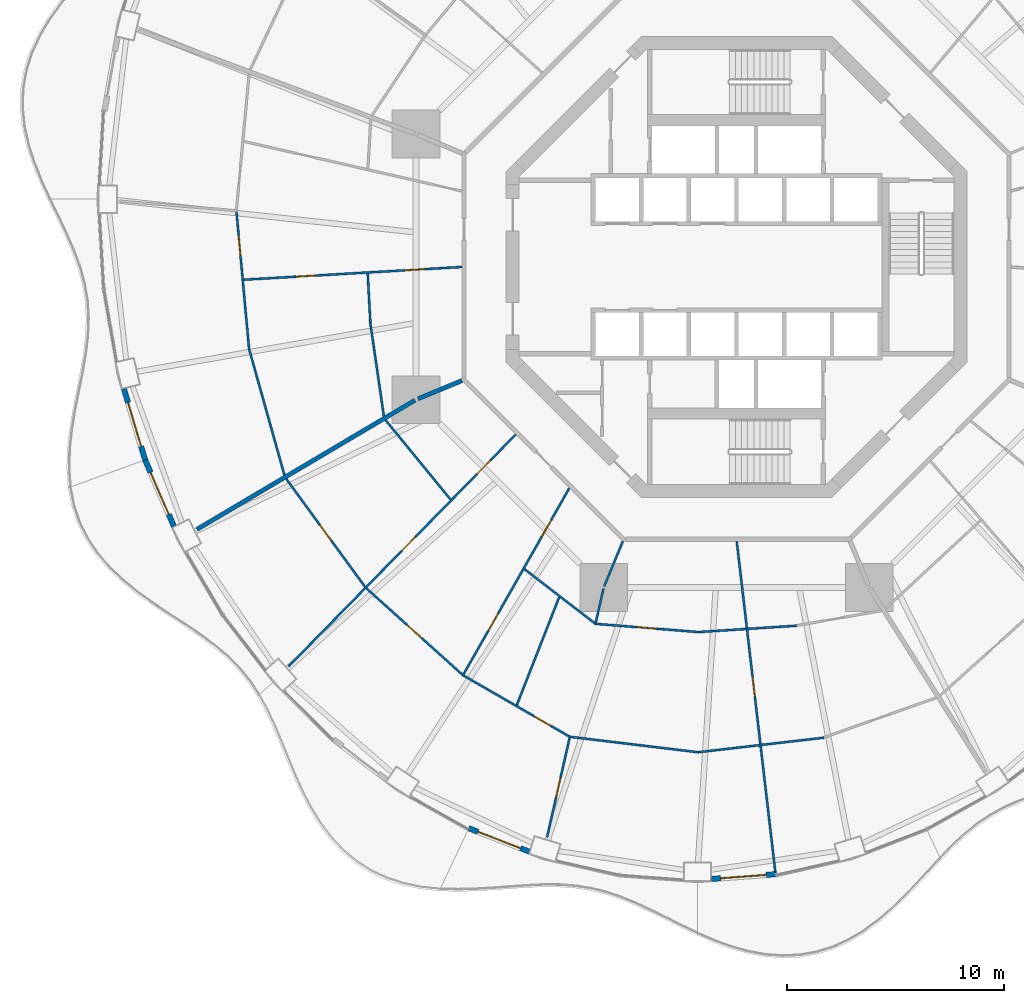
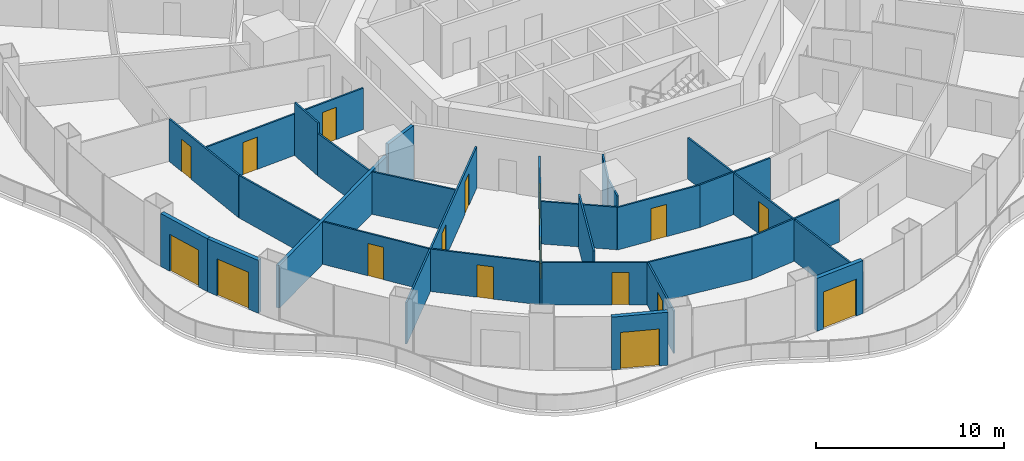
# One storey, part 14 of 22: 27 walls, 17 doors, 17 openings.
"""IFC4 building model written with IfcOpenShell, lengths in metres."""

from ifc_helpers import new_model, si_unit, direction, frame, frame_2d, origin, place, context, subcontext, project, spatial, rectangle, extrude, material, layer, layer_set, type_object, element, fill, save


model = new_model("IFC4")

# Units and contexts
model_context = context("Model", 3, precision=1e-05, world=origin(), true_north=direction((0.0, 1.0)))
body_context = subcontext(model_context, "Body", "Model", "MODEL_VIEW")
ifc_project = project(units=[si_unit("LENGTHUNIT", "METRE"), si_unit("AREAUNIT", "SQUARE_METRE"), si_unit("VOLUMEUNIT", "CUBIC_METRE"), si_unit("PLANEANGLEUNIT", "RADIAN"), si_unit("MASSUNIT", "GRAM", prefix="KILO")], contexts=[model_context])

# Site, building, storey
site_placement = place(None, origin())
site = spatial("IfcSite", under=ifc_project, at=site_placement, CompositionType="ELEMENT")
building_placement = place(site_placement, origin())
building = spatial("IfcBuilding", under=site, at=building_placement, Name="Nagisa Residences", CompositionType="ELEMENT")
storey_placement = place(building_placement, frame((0.0, 0.0, 84.39990234375)))
storey = spatial("IfcBuildingStorey", under=building, at=storey_placement, Name="L20", CompositionType="ELEMENT", Elevation=84.39990234375)

# Walls
ifc_material_1 = material(Name="Gypsum board on steel studs", Category="steel")
ifc_layer_1 = layer(ifc_material_1, 0.199951171875)
ifc_layer_set_1 = layer_set([ifc_layer_1], Name="Apartment compartment wall EI60 200")
wall_type_1 = type_object("IfcWallType", Name="Apartment compartment wall EI60 200", PredefinedType="PARTITIONING", material=ifc_layer_set_1)
wall_1_placement = place(storey_placement, frame((-12.6572265625, -5.24267578125, 0.0), z_axis=(0.0, 0.0, 1.0), x_axis=(-0.923876145736, -0.382691608661, 0.0)))
element("IfcWall", 1, at=wall_1_placement, inside=storey, type_object=wall_type_1, Name="wall:L20:u04", PredefinedType="PARTITIONING", context=body_context, shape_type="SweptSolid", body=[
    extrude(rectangle(XDim=2.19970703125, YDim=0.199951171875, at=frame_2d((1.099853515625, 0.0))), origin(), (0.0, 0.0, 1.0), 3.440185546875),
])
wall_2_placement = place(storey_placement, frame((-14.824951171875, -6.1484375, 0.0), z_axis=(0.0, 0.0, 1.0), x_axis=(-0.860400431487, -0.509618580408, 0.0)))
element("IfcWall", 2, at=wall_2_placement, inside=storey, type_object=wall_type_1, Name="wall:L20:u05", PredefinedType="PARTITIONING", context=body_context, shape_type="SweptSolid", body=[
    extrude(rectangle(XDim=11.687744140625, YDim=0.199951171875, at=frame_2d((5.84375, 0.0))), origin(), (0.0, 0.0, 1.0), 2.76220703125),
])

# Wall, opening, door
ifc_material_2 = material(Name="Gypsum board on steel studs", Category="steel")
ifc_layer_2 = layer(ifc_material_2, 0.10009765625)
ifc_layer_set_2 = layer_set([ifc_layer_2], Name="Apartment partition 100")
wall_type_2 = type_object("IfcWallType", Name="Apartment partition 100", PredefinedType="PARTITIONING", material=ifc_layer_set_2)
wall_3_placement = place(storey_placement, frame((-23.056884765625, 2.54248046875, 0.0), z_axis=(0.0, 0.0, 1.0), x_axis=(0.091364304609, -0.995817535417, 0.0)))
wall_3 = element("IfcWall", 3, at=wall_3_placement, inside=storey, type_object=wall_type_2, Name="wall:L20:u60", PredefinedType="PARTITIONING", context=body_context, shape_type="SweptSolid", body=[
    extrude(rectangle(XDim=6.402587890625, YDim=0.10009765625, at=frame_2d((3.201171875, 0.0))), origin(), (0.0, 0.0, 1.0), 2.76220703125),
])
opening_1_placement = place(wall_3_placement, frame((1.12548828125, 0.0, 0.0)))
opening_1 = element("IfcOpeningElement", 4, at=opening_1_placement, cuts=wall_3, Name="Opening L20-U23", PredefinedType="OPENING", context=body_context, shape_type="SweptSolid", body=[
    extrude(rectangle(XDim=0.89990234375, YDim=2.10009765625, at=frame_2d((0.449951171875, 1.050048828125))), frame((0.0, 0.06005859375, 0.0), z_axis=(0.0, -1.0, 0.0), x_axis=(1.0, 0.0, 0.0)), (0.0, 0.0, 1.0), 0.1201171875),
])
ifc_material_3 = material(Name="Timber door set", Category="wood")
door_type_1 = type_object("IfcDoorType", Name="Apartment door 900x2100", OperationType="NOTDEFINED", PredefinedType="DOOR", material=ifc_material_3)
door_1_placement = place(opening_1_placement, frame((0.89990234375, 0.0, 0.0), x_axis=(-1.0, 0.0, 0.0)))
door_1 = element("IfcDoor", 5, at=door_1_placement, inside=storey, type_object=door_type_1, Name="Door to living room, Apartment 20B", OperationType="SINGLE_SWING_RIGHT", OverallHeight=2.10009765625, OverallWidth=0.89990234375, PredefinedType="DOOR", context=body_context, shape_type="SweptSolid", body=[
    extrude(rectangle(XDim=0.89990234375, YDim=2.10009765625, at=frame_2d((0.449951171875, 1.050048828125))), frame((0.0, 0.02490234375, 0.0), z_axis=(0.0, -1.0, 0.0), x_axis=(1.0, 0.0, 0.0)), (0.0, 0.0, 1.0), 0.050048828125),
])
fill(opening_1, door_1)

# Wall, openings, doors
wall_4_placement = place(storey_placement, frame((-12.66455078125, -0.005859375, 0.0), z_axis=(0.0, 0.0, 1.0), x_axis=(-0.998300603128, -0.058274400843, 0.0)))
wall_4 = element("IfcWall", 6, at=wall_4_placement, inside=storey, type_object=wall_type_2, Name="wall:L20:u61", PredefinedType="PARTITIONING", context=body_context, shape_type="SweptSolid", body=[
    extrude(rectangle(XDim=10.071533203125, YDim=0.10009765625, at=frame_2d((5.03564453125, 0.0))), origin(), (0.0, 0.0, 1.0), 2.68701171875),
])
opening_2_placement = place(wall_4_placement, frame((1.7255859375, 0.0, 0.0)))
opening_2 = element("IfcOpeningElement", 7, at=opening_2_placement, cuts=wall_4, Name="Opening L20-U19", PredefinedType="OPENING", context=body_context, shape_type="SweptSolid", body=[
    extrude(rectangle(XDim=0.89990234375, YDim=2.10009765625, at=frame_2d((0.449951171875, 1.050048828125))), frame((0.0, 0.06005859375, 0.0), z_axis=(0.0, -1.0, 0.0), x_axis=(1.0, 0.0, 0.0)), (0.0, 0.0, 1.0), 0.1201171875),
])
opening_3_placement = place(wall_4_placement, frame((6.761474609375, 0.0, 0.0)))
opening_3 = element("IfcOpeningElement", 8, at=opening_3_placement, cuts=wall_4, Name="Opening L20-U21", PredefinedType="OPENING", context=body_context, shape_type="SweptSolid", body=[
    extrude(rectangle(XDim=0.89990234375, YDim=2.10009765625, at=frame_2d((0.449951171875, 1.050048828125))), frame((0.0, 0.06005859375, 0.0), z_axis=(0.0, -1.0, 0.0), x_axis=(1.0, 0.0, 0.0)), (0.0, 0.0, 1.0), 0.1201171875),
])
door_2_placement = place(opening_2_placement, origin())
door_2 = element("IfcDoor", 9, at=door_2_placement, inside=storey, type_object=door_type_1, Name="Door to store, Apartment 20B", OperationType="SINGLE_SWING_LEFT", OverallHeight=2.10009765625, OverallWidth=0.89990234375, PredefinedType="DOOR", context=body_context, shape_type="SweptSolid", body=[
    extrude(rectangle(XDim=0.89990234375, YDim=2.10009765625, at=frame_2d((0.449951171875, 1.050048828125))), frame((0.0, 0.02490234375, 0.0), z_axis=(0.0, -1.0, 0.0), x_axis=(1.0, 0.0, 0.0)), (0.0, 0.0, 1.0), 0.050048828125),
])
fill(opening_2, door_2)
door_3_placement = place(opening_3_placement, origin())
door_3 = element("IfcDoor", 10, at=door_3_placement, inside=storey, type_object=door_type_1, Name="Door to kitchen, Apartment 20B", OperationType="SINGLE_SWING_LEFT", OverallHeight=2.10009765625, OverallWidth=0.89990234375, PredefinedType="DOOR", context=body_context, shape_type="SweptSolid", body=[
    extrude(rectangle(XDim=0.89990234375, YDim=2.10009765625, at=frame_2d((0.449951171875, 1.050048828125))), frame((0.0, 0.02490234375, 0.0), z_axis=(0.0, -1.0, 0.0), x_axis=(1.0, 0.0, 0.0)), (0.0, 0.0, 1.0), 0.050048828125),
])
fill(opening_3, door_3)

# Walls
wall_5_placement = place(storey_placement, frame((-17.005859375, -0.309326171875, 0.0), z_axis=(0.0, 0.0, 1.0), x_axis=(0.053749298185, -0.998554461682, 0.0)))
element("IfcWall", 11, at=wall_5_placement, inside=storey, type_object=wall_type_2, Name="wall:L20:u62", PredefinedType="PARTITIONING", context=body_context, shape_type="SweptSolid", body=[
    extrude(rectangle(XDim=2.27099609375, YDim=0.10009765625, at=frame_2d((1.135498046875, 0.0))), origin(), (0.0, 0.0, 1.0), 3.440185546875),
])
wall_6_placement = place(storey_placement, frame((-16.888427734375, -2.577392578125, 0.0), z_axis=(0.0, 0.0, 1.0), x_axis=(0.144228053649, -0.989544475272, 0.0)))
element("IfcWall", 12, at=wall_6_placement, inside=storey, type_object=wall_type_2, Name="wall:L20:u63", PredefinedType="PARTITIONING", context=body_context, shape_type="SweptSolid", body=[
    extrude(rectangle(XDim=4.35888671875, YDim=0.10009765625, at=frame_2d((2.179443359375, 0.0))), origin(), (0.0, 0.0, 1.0), 2.76220703125),
])
wall_7_placement = place(storey_placement, frame((-22.462890625, -3.83154296875, 0.0), z_axis=(0.0, 0.0, 1.0), x_axis=(0.269805201578, -0.962914925215, 0.0)))
element("IfcWall", 13, at=wall_7_placement, inside=storey, type_object=wall_type_2, Name="wall:L20:u64", PredefinedType="PARTITIONING", context=body_context, shape_type="SweptSolid", body=[
    extrude(rectangle(XDim=5.992919921875, YDim=0.10009765625, at=frame_2d((2.99658203125, 0.0))), origin(), (0.0, 0.0, 1.0), 2.76220703125),
])
wall_8_placement = place(storey_placement, frame((-16.181884765625, -7.067138671875, 0.0), z_axis=(0.0, 0.0, 1.0), x_axis=(0.633400832951, -0.773823871962, 0.0)))
element("IfcWall", 14, at=wall_8_placement, inside=storey, type_object=wall_type_2, Name="wall:L20:u65", PredefinedType="PARTITIONING", context=body_context, shape_type="SweptSolid", body=[
    extrude(rectangle(XDim=4.72900390625, YDim=0.10009765625, at=frame_2d((2.364501953125, 0.0))), origin(), (0.0, 0.0, 1.0), 2.76220703125),
])

# Wall, opening, door
wall_9_placement = place(storey_placement, frame((-20.760009765625, -9.779296875, 0.0), z_axis=(0.0, 0.0, 1.0), x_axis=(0.589597019189, -0.807697564045, 0.0)))
wall_9 = element("IfcWall", 15, at=wall_9_placement, inside=storey, type_object=wall_type_2, Name="wall:L20:u66", PredefinedType="PARTITIONING", context=body_context, shape_type="SweptSolid", body=[
    extrude(rectangle(XDim=6.15771484375, YDim=0.10009765625, at=frame_2d((3.078857421875, 0.0))), origin(), (0.0, 0.0, 1.0), 2.76220703125),
])
opening_4_placement = place(wall_9_placement, frame((2.62890625, 0.0, 0.0)))
opening_4 = element("IfcOpeningElement", 16, at=opening_4_placement, cuts=wall_9, Name="Opening L20-U29", PredefinedType="OPENING", context=body_context, shape_type="SweptSolid", body=[
    extrude(rectangle(XDim=0.89990234375, YDim=2.10009765625, at=frame_2d((0.449951171875, 1.050048828125))), frame((0.0, 0.06005859375, 0.0), z_axis=(0.0, -1.0, 0.0), x_axis=(1.0, 0.0, 0.0)), (0.0, 0.0, 1.0), 0.1201171875),
])
door_4_placement = place(opening_4_placement, frame((0.89990234375, 0.0, 0.0), x_axis=(-1.0, 0.0, 0.0)))
door_4 = element("IfcDoor", 17, at=door_4_placement, inside=storey, type_object=door_type_1, Name="Door to master bedroom, Apartment 20C", OperationType="SINGLE_SWING_RIGHT", OverallHeight=2.10009765625, OverallWidth=0.89990234375, PredefinedType="DOOR", context=body_context, shape_type="SweptSolid", body=[
    extrude(rectangle(XDim=0.89990234375, YDim=2.10009765625, at=frame_2d((0.449951171875, 1.050048828125))), frame((0.0, 0.02490234375, 0.0), z_axis=(0.0, -1.0, 0.0), x_axis=(1.0, 0.0, 0.0)), (0.0, 0.0, 1.0), 0.050048828125),
])
fill(opening_4, door_4)

# Wall, openings, doors
wall_10_placement = place(storey_placement, frame((-10.181396484375, -7.729248046875, 0.0), z_axis=(0.0, 0.0, 1.0), x_axis=(-0.699708106083, -0.714428839201, 0.0)))
wall_10 = element("IfcWall", 18, at=wall_10_placement, inside=storey, type_object=wall_type_2, Name="wall:L20:u67", PredefinedType="PARTITIONING", context=body_context, shape_type="SweptSolid", body=[
    extrude(rectangle(XDim=14.95947265625, YDim=0.10009765625, at=frame_2d((7.479736328125, 0.0))), origin(), (0.0, 0.0, 1.0), 2.68701171875),
])
opening_5_placement = place(wall_10_placement, frame((1.6748046875, 0.0, 0.0)))
opening_5 = element("IfcOpeningElement", 19, at=opening_5_placement, cuts=wall_10, Name="Opening L20-U25", PredefinedType="OPENING", context=body_context, shape_type="SweptSolid", body=[
    extrude(rectangle(XDim=0.89990234375, YDim=2.10009765625, at=frame_2d((0.449951171875, 1.050048828125))), frame((0.0, 0.06005859375, 0.0), z_axis=(0.0, -1.0, 0.0), x_axis=(1.0, 0.0, 0.0)), (0.0, 0.0, 1.0), 0.1201171875),
])
opening_6_placement = place(wall_10_placement, frame((6.61865234375, 0.0, 0.0)))
opening_6 = element("IfcOpeningElement", 20, at=opening_6_placement, cuts=wall_10, Name="Opening L20-U27", PredefinedType="OPENING", context=body_context, shape_type="SweptSolid", body=[
    extrude(rectangle(XDim=0.89990234375, YDim=2.10009765625, at=frame_2d((0.449951171875, 1.050048828125))), frame((0.0, 0.06005859375, 0.0), z_axis=(0.0, -1.0, 0.0), x_axis=(1.0, 0.0, 0.0)), (0.0, 0.0, 1.0), 0.1201171875),
])
door_5_placement = place(opening_5_placement, frame((0.89990234375, 0.0, 0.0), x_axis=(-1.0, 0.0, 0.0)))
door_5 = element("IfcDoor", 21, at=door_5_placement, inside=storey, type_object=door_type_1, Name="Door to laundry, Apartment 20C", OperationType="SINGLE_SWING_RIGHT", OverallHeight=2.10009765625, OverallWidth=0.89990234375, PredefinedType="DOOR", context=body_context, shape_type="SweptSolid", body=[
    extrude(rectangle(XDim=0.89990234375, YDim=2.10009765625, at=frame_2d((0.449951171875, 1.050048828125))), frame((0.0, 0.02490234375, 0.0), z_axis=(0.0, -1.0, 0.0), x_axis=(1.0, 0.0, 0.0)), (0.0, 0.0, 1.0), 0.050048828125),
])
fill(opening_5, door_5)
door_6_placement = place(opening_6_placement, frame((0.89990234375, 0.0, 0.0), x_axis=(-1.0, 0.0, 0.0)))
door_6 = element("IfcDoor", 22, at=door_6_placement, inside=storey, type_object=door_type_1, Name="Door to family room, Apartment 20C", OperationType="SINGLE_SWING_RIGHT", OverallHeight=2.10009765625, OverallWidth=0.89990234375, PredefinedType="DOOR", context=body_context, shape_type="SweptSolid", body=[
    extrude(rectangle(XDim=0.89990234375, YDim=2.10009765625, at=frame_2d((0.449951171875, 1.050048828125))), frame((0.0, 0.02490234375, 0.0), z_axis=(0.0, -1.0, 0.0), x_axis=(1.0, 0.0, 0.0)), (0.0, 0.0, 1.0), 0.050048828125),
])
fill(opening_6, door_6)

# Wall, opening, door
wall_11_placement = place(storey_placement, frame((-17.062744140625, -14.826904296875, 0.0), z_axis=(0.0, 0.0, 1.0), x_axis=(0.743478142868, -0.668760234373, 0.0)))
wall_11 = element("IfcWall", 23, at=wall_11_placement, inside=storey, type_object=wall_type_2, Name="wall:L20:u68", PredefinedType="PARTITIONING", context=body_context, shape_type="SweptSolid", body=[
    extrude(rectangle(XDim=5.93701171875, YDim=0.10009765625, at=frame_2d((2.968505859375, 0.0))), origin(), (0.0, 0.0, 1.0), 2.76220703125),
])
opening_7_placement = place(wall_11_placement, frame((2.5185546875, 0.0, 0.0)))
opening_7 = element("IfcOpeningElement", 24, at=opening_7_placement, cuts=wall_11, Name="Opening L20-U30", PredefinedType="OPENING", context=body_context, shape_type="SweptSolid", body=[
    extrude(rectangle(XDim=0.89990234375, YDim=2.10009765625, at=frame_2d((0.449951171875, 1.050048828125))), frame((0.0, 0.06005859375, 0.0), z_axis=(0.0, -1.0, 0.0), x_axis=(1.0, 0.0, 0.0)), (0.0, 0.0, 1.0), 0.1201171875),
])
door_7_placement = place(opening_7_placement, frame((0.89990234375, 0.0, 0.0), x_axis=(-1.0, 0.0, 0.0)))
door_7 = element("IfcDoor", 25, at=door_7_placement, inside=storey, type_object=door_type_1, Name="Door to living room, Apartment 20C", OperationType="SINGLE_SWING_LEFT", OverallHeight=2.10009765625, OverallWidth=0.89990234375, PredefinedType="DOOR", context=body_context, shape_type="SweptSolid", body=[
    extrude(rectangle(XDim=0.89990234375, YDim=2.10009765625, at=frame_2d((0.449951171875, 1.050048828125))), frame((0.0, 0.02490234375, 0.0), z_axis=(0.0, -1.0, 0.0), x_axis=(1.0, 0.0, 0.0)), (0.0, 0.0, 1.0), 0.050048828125),
])
fill(opening_7, door_7)

# Wall, openings, doors
wall_12_placement = place(storey_placement, frame((-7.707275390625, -10.1982421875, 0.0), z_axis=(0.0, 0.0, 1.0), x_axis=(-0.493963587489, -0.869482589955, 0.0)))
wall_12 = element("IfcWall", 26, at=wall_12_placement, inside=storey, type_object=wall_type_2, Name="wall:L20:u69", PredefinedType="PARTITIONING", context=body_context, shape_type="SweptSolid", body=[
    extrude(rectangle(XDim=9.978271484375, YDim=0.10009765625, at=frame_2d((4.9892578125, 0.0))), origin(), (0.0, 0.0, 1.0), 2.68701171875),
])
opening_8_placement = place(wall_12_placement, frame((1.68359375, 0.0, 0.0)))
opening_8 = element("IfcOpeningElement", 27, at=opening_8_placement, cuts=wall_12, Name="Opening L20-U26", PredefinedType="OPENING", context=body_context, shape_type="SweptSolid", body=[
    extrude(rectangle(XDim=0.89990234375, YDim=2.10009765625, at=frame_2d((0.449951171875, 1.050048828125))), frame((0.0, 0.06005859375, 0.0), z_axis=(0.0, -1.0, 0.0), x_axis=(1.0, 0.0, 0.0)), (0.0, 0.0, 1.0), 0.1201171875),
])
opening_9_placement = place(wall_12_placement, frame((6.647705078125, 0.0, 0.0)))
opening_9 = element("IfcOpeningElement", 28, at=opening_9_placement, cuts=wall_12, Name="Opening L20-U28", PredefinedType="OPENING", context=body_context, shape_type="SweptSolid", body=[
    extrude(rectangle(XDim=0.89990234375, YDim=2.10009765625, at=frame_2d((0.449951171875, 1.050048828125))), frame((0.0, 0.06005859375, 0.0), z_axis=(0.0, -1.0, 0.0), x_axis=(1.0, 0.0, 0.0)), (0.0, 0.0, 1.0), 0.1201171875),
])
door_8_placement = place(opening_8_placement, origin())
door_8 = element("IfcDoor", 29, at=door_8_placement, inside=storey, type_object=door_type_1, Name="Door to family bathroom, Apartment 20C", OperationType="SINGLE_SWING_RIGHT", OverallHeight=2.10009765625, OverallWidth=0.89990234375, PredefinedType="DOOR", context=body_context, shape_type="SweptSolid", body=[
    extrude(rectangle(XDim=0.89990234375, YDim=2.10009765625, at=frame_2d((0.449951171875, 1.050048828125))), frame((0.0, 0.02490234375, 0.0), z_axis=(0.0, -1.0, 0.0), x_axis=(1.0, 0.0, 0.0)), (0.0, 0.0, 1.0), 0.050048828125),
])
fill(opening_8, door_8)
door_9_placement = place(opening_9_placement, origin())
door_9 = element("IfcDoor", 30, at=door_9_placement, inside=storey, type_object=door_type_1, Name="Door to family bathroom, Apartment 20C", OperationType="SINGLE_SWING_RIGHT", OverallHeight=2.10009765625, OverallWidth=0.89990234375, PredefinedType="DOOR", context=body_context, shape_type="SweptSolid", body=[
    extrude(rectangle(XDim=0.89990234375, YDim=2.10009765625, at=frame_2d((0.449951171875, 1.050048828125))), frame((0.0, 0.02490234375, 0.0), z_axis=(0.0, -1.0, 0.0), x_axis=(1.0, 0.0, 0.0)), (0.0, 0.0, 1.0), 0.050048828125),
])
fill(opening_9, door_9)

# Wall
wall_13_placement = place(storey_placement, frame((-9.775390625, -13.93896484375, 0.0), z_axis=(0.0, 0.0, 1.0), x_axis=(0.792156642473, -0.61031783014, 0.0)))
element("IfcWall", 31, at=wall_13_placement, inside=storey, type_object=wall_type_2, Name="wall:L20:u70", PredefinedType="PARTITIONING", context=body_context, shape_type="SweptSolid", body=[
    extrude(rectangle(XDim=4.080322265625, YDim=0.10009765625, at=frame_2d((2.0400390625, 0.0))), origin(), (0.0, 0.0, 1.0), 2.76220703125),
])

# Wall, opening, door
wall_14_placement = place(storey_placement, frame((-12.568115234375, -18.855712890625, 0.0), z_axis=(0.0, 0.0, 1.0), x_axis=(0.866532513598, -0.499120629585, 0.0)))
wall_14 = element("IfcWall", 32, at=wall_14_placement, inside=storey, type_object=wall_type_2, Name="wall:L20:u71", PredefinedType="PARTITIONING", context=body_context, shape_type="SweptSolid", body=[
    extrude(rectangle(XDim=5.5849609375, YDim=0.10009765625, at=frame_2d((2.79248046875, 0.0))), origin(), (0.0, 0.0, 1.0), 2.76220703125),
])
opening_10_placement = place(wall_14_placement, frame((3.73876953125, 0.0, 0.0)))
opening_10 = element("IfcOpeningElement", 33, at=opening_10_placement, cuts=wall_14, Name="Opening L20-U32", PredefinedType="OPENING", context=body_context, shape_type="SweptSolid", body=[
    extrude(rectangle(XDim=0.89990234375, YDim=2.10009765625, at=frame_2d((0.449951171875, 1.050048828125))), frame((0.0, 0.06005859375, 0.0), z_axis=(0.0, -1.0, 0.0), x_axis=(1.0, 0.0, 0.0)), (0.0, 0.0, 1.0), 0.1201171875),
])
door_10_placement = place(opening_10_placement, origin())
door_10 = element("IfcDoor", 34, at=door_10_placement, inside=storey, type_object=door_type_1, Name="Door to dining room, Apartment 20C", OperationType="SINGLE_SWING_RIGHT", OverallHeight=2.10009765625, OverallWidth=0.89990234375, PredefinedType="DOOR", context=body_context, shape_type="SweptSolid", body=[
    extrude(rectangle(XDim=0.89990234375, YDim=2.10009765625, at=frame_2d((0.449951171875, 1.050048828125))), frame((0.0, 0.02490234375, 0.0), z_axis=(0.0, -1.0, 0.0), x_axis=(1.0, 0.0, 0.0)), (0.0, 0.0, 1.0), 0.050048828125),
])
fill(opening_10, door_10)

# Walls
wall_15_placement = place(storey_placement, frame((-8.177490234375, -15.230712890625, 0.0), z_axis=(0.0, 0.0, 1.0), x_axis=(-0.365520869553, -0.930803144559, 0.0)))
element("IfcWall", 35, at=wall_15_placement, inside=storey, type_object=wall_type_2, Name="wall:L20:u72", PredefinedType="PARTITIONING", context=body_context, shape_type="SweptSolid", body=[
    extrude(rectangle(XDim=5.342041015625, YDim=0.10009765625, at=frame_2d((2.6708984375, 0.0))), origin(), (0.0, 0.0, 1.0), 3.440185546875),
])
wall_16_placement = place(storey_placement, frame((-5.24267578125, -12.6572265625, 0.0), z_axis=(0.0, 0.0, 1.0), x_axis=(-0.382719158442, -0.923864733477, 0.0)))
element("IfcWall", 36, at=wall_16_placement, inside=storey, type_object=wall_type_2, Name="wall:L20:u73", PredefinedType="PARTITIONING", context=body_context, shape_type="SweptSolid", body=[
    extrude(rectangle(XDim=2.25, YDim=0.10009765625, at=frame_2d((1.125, 0.0))), origin(), (0.0, 0.0, 1.0), 3.440185546875),
])
wall_17_placement = place(storey_placement, frame((-6.134033203125, -14.831298828125, 0.0), z_axis=(0.0, 0.0, 1.0), x_axis=(-0.221269290858, -0.975212746493, 0.0)))
element("IfcWall", 37, at=wall_17_placement, inside=storey, type_object=wall_type_2, Name="wall:L20:u74", PredefinedType="PARTITIONING", context=body_context, shape_type="SweptSolid", body=[
    extrude(rectangle(XDim=1.61962890625, YDim=0.10009765625, at=frame_2d((0.809814453125, 0.0))), origin(), (0.0, 0.0, 1.0), 3.440185546875),
])

# Wall, opening, door
wall_18_placement = place(storey_placement, frame((-6.55322265625, -16.45556640625, 0.0), z_axis=(0.0, 0.0, 1.0), x_axis=(0.996817033118, -0.079723286975, 0.0)))
wall_18 = element("IfcWall", 38, at=wall_18_placement, inside=storey, type_object=wall_type_2, Name="wall:L20:u75", PredefinedType="PARTITIONING", context=body_context, shape_type="SweptSolid", body=[
    extrude(rectangle(XDim=4.865966796875, YDim=0.10009765625, at=frame_2d((2.43310546875, 0.0))), origin(), (0.0, 0.0, 1.0), 2.76220703125),
])
opening_11_placement = place(wall_18_placement, frame((1.983154296875, 0.0, 0.0)))
opening_11 = element("IfcOpeningElement", 39, at=opening_11_placement, cuts=wall_18, Name="Opening L20-U35", PredefinedType="OPENING", context=body_context, shape_type="SweptSolid", body=[
    extrude(rectangle(XDim=0.89990234375, YDim=2.10009765625, at=frame_2d((0.449951171875, 1.050048828125))), frame((0.0, 0.06005859375, 0.0), z_axis=(0.0, -1.0, 0.0), x_axis=(1.0, 0.0, 0.0)), (0.0, 0.0, 1.0), 0.1201171875),
])
door_11_placement = place(opening_11_placement, origin())
door_11 = element("IfcDoor", 40, at=door_11_placement, inside=storey, type_object=door_type_1, Name="Door to store, Apartment 20C", OperationType="SINGLE_SWING_LEFT", OverallHeight=2.10009765625, OverallWidth=0.89990234375, PredefinedType="DOOR", context=body_context, shape_type="SweptSolid", body=[
    extrude(rectangle(XDim=0.89990234375, YDim=2.10009765625, at=frame_2d((0.449951171875, 1.050048828125))), frame((0.0, 0.02490234375, 0.0), z_axis=(0.0, -1.0, 0.0), x_axis=(1.0, 0.0, 0.0)), (0.0, 0.0, 1.0), 0.050048828125),
])
fill(opening_11, door_11)

wall_19_placement = place(storey_placement, frame((-7.6962890625, -21.717041015625, 0.0), z_axis=(0.0, 0.0, 1.0), x_axis=(-0.221196717441, -0.97522921008, 0.0)))
wall_19 = element("IfcWall", 41, at=wall_19_placement, inside=storey, type_object=wall_type_2, Name="wall:L20:u76", PredefinedType="PARTITIONING", context=body_context, shape_type="SweptSolid", body=[
    extrude(rectangle(XDim=4.69970703125, YDim=0.10009765625, at=frame_2d((2.349853515625, 0.0))), origin(), (0.0, 0.0, 1.0), 2.76220703125),
])
opening_12_placement = place(wall_19_placement, frame((1.89990234375, 0.0, 0.0)))
opening_12 = element("IfcOpeningElement", 42, at=opening_12_placement, cuts=wall_19, Name="Opening L20-U31", PredefinedType="OPENING", context=body_context, shape_type="SweptSolid", body=[
    extrude(rectangle(XDim=0.89990234375, YDim=2.10009765625, at=frame_2d((0.449951171875, 1.050048828125))), frame((0.0, 0.06005859375, 0.0), z_axis=(0.0, -1.0, 0.0), x_axis=(1.0, 0.0, 0.0)), (0.0, 0.0, 1.0), 0.1201171875),
])
door_12_placement = place(opening_12_placement, origin())
door_12 = element("IfcDoor", 43, at=door_12_placement, inside=storey, type_object=door_type_1, Name="Door to master bedroom, Apartment 20C", OperationType="SINGLE_SWING_LEFT", OverallHeight=2.10009765625, OverallWidth=0.89990234375, PredefinedType="DOOR", context=body_context, shape_type="SweptSolid", body=[
    extrude(rectangle(XDim=0.89990234375, YDim=2.10009765625, at=frame_2d((0.449951171875, 1.050048828125))), frame((0.0, 0.02490234375, 0.0), z_axis=(0.0, -1.0, 0.0), x_axis=(1.0, 0.0, 0.0)), (0.0, 0.0, 1.0), 0.050048828125),
])
fill(opening_12, door_12)

# Walls
wall_20_placement = place(storey_placement, frame((-7.73486328125, -21.662353515625, 0.0), z_axis=(0.0, 0.0, 1.0), x_axis=(0.992808347289, -0.119714600421, 0.0)))
element("IfcWall", 44, at=wall_20_placement, inside=storey, type_object=wall_type_2, Name="wall:L20:u77", PredefinedType="PARTITIONING", context=body_context, shape_type="SweptSolid", body=[
    extrude(rectangle(XDim=6.052734375, YDim=0.10009765625, at=frame_2d((3.0263671875, 0.0))), origin(), (0.0, 0.0, 1.0), 2.76220703125),
])
wall_21_placement = place(storey_placement, frame((-1.70263671875, -16.83642578125, 0.0), z_axis=(0.0, 0.0, 1.0), x_axis=(0.997899919101, 0.064774620473, 0.0)))
element("IfcWall", 45, at=wall_21_placement, inside=storey, type_object=wall_type_2, Name="wall:L20:u78", PredefinedType="PARTITIONING", context=body_context, shape_type="SweptSolid", body=[
    extrude(rectangle(XDim=4.477783203125, YDim=0.10009765625, at=frame_2d((2.23876953125, 0.0))), origin(), (0.0, 0.0, 1.0), 2.76220703125),
])
wall_22_placement = place(storey_placement, frame((-1.7255859375, -22.375244140625, 0.0), z_axis=(0.0, 0.0, 1.0), x_axis=(0.993392336919, 0.114767874207, 0.0)))
element("IfcWall", 46, at=wall_22_placement, inside=storey, type_object=wall_type_2, Name="wall:L20:u79", PredefinedType="PARTITIONING", context=body_context, shape_type="SweptSolid", body=[
    extrude(rectangle(XDim=5.801025390625, YDim=0.10009765625, at=frame_2d((2.900390625, 0.0))), origin(), (0.0, 0.0, 1.0), 2.76220703125),
])

# Wall, opening, door
wall_23_placement = place(storey_placement, frame((0.011474609375, -12.6640625, 0.0), z_axis=(0.0, 0.0, 1.0), x_axis=(0.115841404661, -0.993267722704, 0.0)))
wall_23 = element("IfcWall", 47, at=wall_23_placement, inside=storey, type_object=wall_type_2, Name="wall:L20:u80", PredefinedType="PARTITIONING", context=body_context, shape_type="SweptSolid", body=[
    extrude(rectangle(XDim=15.5283203125, YDim=0.10009765625, at=frame_2d((7.76416015625, 0.0))), origin(), (0.0, 0.0, 1.0), 2.68701171875),
])
opening_13_placement = place(wall_23_placement, frame((6.302734375, 0.0, 0.0)))
opening_13 = element("IfcOpeningElement", 48, at=opening_13_placement, cuts=wall_23, Name="Opening L20-U33", PredefinedType="OPENING", context=body_context, shape_type="SweptSolid", body=[
    extrude(rectangle(XDim=0.89990234375, YDim=2.10009765625, at=frame_2d((0.449951171875, 1.050048828125))), frame((0.0, 0.06005859375, 0.0), z_axis=(0.0, -1.0, 0.0), x_axis=(1.0, 0.0, 0.0)), (0.0, 0.0, 1.0), 0.1201171875),
])
door_13_placement = place(opening_13_placement, origin())
door_13 = element("IfcDoor", 49, at=door_13_placement, inside=storey, type_object=door_type_1, Name="Door to kitchen, Apartment 20C", OperationType="SINGLE_SWING_LEFT", OverallHeight=2.10009765625, OverallWidth=0.89990234375, PredefinedType="DOOR", context=body_context, shape_type="SweptSolid", body=[
    extrude(rectangle(XDim=0.89990234375, YDim=2.10009765625, at=frame_2d((0.449951171875, 1.050048828125))), frame((0.0, 0.02490234375, 0.0), z_axis=(0.0, -1.0, 0.0), x_axis=(1.0, 0.0, 0.0)), (0.0, 0.0, 1.0), 0.050048828125),
])
fill(opening_13, door_13)

ifc_material_4 = material(Name="Precast concrete C40/50", Category="concrete")
ifc_layer_3 = layer(ifc_material_4, 0.25)
ifc_layer_set_3 = layer_set([ifc_layer_3], Name="BALCONY DOOR WALL 250")
wall_type_3 = type_object("IfcWallType", Name="BALCONY DOOR WALL 250", PredefinedType="SOLIDWALL", material=ifc_layer_set_3)
wall_24_placement = place(storey_placement, frame((-27.26708984375, -8.90673828125, 0.0), z_axis=(0.0, 0.0, 1.0), x_axis=(-0.285836143515, 0.958278508086, 0.0)))
wall_24 = element("IfcWall", 50, at=wall_24_placement, inside=storey, type_object=wall_type_3, Name="wall:L20:bay26", PredefinedType="SOLIDWALL", context=body_context, shape_type="SweptSolid", body=[
    extrude(rectangle(XDim=3.42333984375, YDim=0.25, at=frame_2d((1.711669921875, 0.0))), origin(), (0.0, 0.0, 1.0), 3.440185546875),
])
opening_14_placement = place(wall_24_placement, frame((0.661865234375, 0.0, 0.0)))
opening_14 = element("IfcOpeningElement", 51, at=opening_14_placement, cuts=wall_24, Name="Opening BD-L20-09", PredefinedType="OPENING", context=body_context, shape_type="SweptSolid", body=[
    extrude(rectangle(XDim=2.10009765625, YDim=2.39990234375, at=frame_2d((1.050048828125, 1.199951171875))), frame((0.0, 0.135009765625, 0.0), z_axis=(0.0, -1.0, 0.0), x_axis=(1.0, 0.0, 0.0)), (0.0, 0.0, 1.0), 0.27001953125),
])
ifc_material_5 = material(Name="Aluminium and clear glass", Category="aluminium")
door_type_2 = type_object("IfcDoorType", Name="BALCONY SLIDING DOOR 2100x2400", OperationType="SLIDING_TO_LEFT", PredefinedType="DOOR", material=ifc_material_5)
door_14_placement = place(opening_14_placement, origin())
door_14 = element("IfcDoor", 52, at=door_14_placement, inside=storey, type_object=door_type_2, Name="door:L20:bay26", OperationType="SLIDING_TO_LEFT", OverallHeight=2.39990234375, OverallWidth=2.10009765625, PredefinedType="DOOR", context=body_context, shape_type="SweptSolid", body=[
    extrude(rectangle(XDim=2.10009765625, YDim=2.39990234375, at=frame_2d((1.050048828125, 1.199951171875))), frame((0.0, 0.02490234375, 0.0), z_axis=(0.0, -1.0, 0.0), x_axis=(1.0, 0.0, 0.0)), (0.0, 0.0, 1.0), 0.050048828125),
])
fill(opening_14, door_14)

wall_25_placement = place(storey_placement, frame((-25.92822265625, -11.99365234375, 0.0), z_axis=(0.0, 0.0, 1.0), x_axis=(-0.397682447205, 0.917523117521, 0.0)))
wall_25 = element("IfcWall", 53, at=wall_25_placement, inside=storey, type_object=wall_type_3, Name="wall:L20:bay27", PredefinedType="SOLIDWALL", context=body_context, shape_type="SweptSolid", body=[
    extrude(rectangle(XDim=3.379638671875, YDim=0.25, at=frame_2d((1.68994140625, 0.0))), origin(), (0.0, 0.0, 1.0), 3.440185546875),
])
opening_15_placement = place(wall_25_placement, frame((0.6396484375, 0.0, 0.0)))
opening_15 = element("IfcOpeningElement", 54, at=opening_15_placement, cuts=wall_25, Name="Opening BD-L20-10", PredefinedType="OPENING", context=body_context, shape_type="SweptSolid", body=[
    extrude(rectangle(XDim=2.10009765625, YDim=2.39990234375, at=frame_2d((1.050048828125, 1.199951171875))), frame((0.0, 0.135009765625, 0.0), z_axis=(0.0, -1.0, 0.0), x_axis=(1.0, 0.0, 0.0)), (0.0, 0.0, 1.0), 0.27001953125),
])
door_15_placement = place(opening_15_placement, origin())
door_15 = element("IfcDoor", 55, at=door_15_placement, inside=storey, type_object=door_type_2, Name="door:L20:bay27", OperationType="SLIDING_TO_LEFT", OverallHeight=2.39990234375, OverallWidth=2.10009765625, PredefinedType="DOOR", context=body_context, shape_type="SweptSolid", body=[
    extrude(rectangle(XDim=2.10009765625, YDim=2.39990234375, at=frame_2d((1.050048828125, 1.199951171875))), frame((0.0, 0.02490234375, 0.0), z_axis=(0.0, -1.0, 0.0), x_axis=(1.0, 0.0, 0.0)), (0.0, 0.0, 1.0), 0.050048828125),
])
fill(opening_15, door_15)

wall_26_placement = place(storey_placement, frame((-9.529296875, -26.97265625, 0.0), z_axis=(0.0, 0.0, 1.0), x_axis=(-0.932827091302, 0.360324322982, 0.0)))
wall_26 = element("IfcWall", 56, at=wall_26_placement, inside=storey, type_object=wall_type_3, Name="wall:L20:bay33", PredefinedType="SOLIDWALL", context=body_context, shape_type="SweptSolid", body=[
    extrude(rectangle(XDim=3.02734375, YDim=0.25, at=frame_2d((1.513671875, 0.0))), origin(), (0.0, 0.0, 1.0), 3.440185546875),
])
opening_16_placement = place(wall_26_placement, frame((0.463623046875, 0.0, 0.0)))
opening_16 = element("IfcOpeningElement", 57, at=opening_16_placement, cuts=wall_26, Name="Opening BD-L20-12", PredefinedType="OPENING", context=body_context, shape_type="SweptSolid", body=[
    extrude(rectangle(XDim=2.10009765625, YDim=2.39990234375, at=frame_2d((1.050048828125, 1.199951171875))), frame((0.0, 0.135009765625, 0.0), z_axis=(0.0, -1.0, 0.0), x_axis=(1.0, 0.0, 0.0)), (0.0, 0.0, 1.0), 0.27001953125),
])
door_16_placement = place(opening_16_placement, origin())
door_16 = element("IfcDoor", 58, at=door_16_placement, inside=storey, type_object=door_type_2, Name="door:L20:bay33", OperationType="SLIDING_TO_LEFT", OverallHeight=2.39990234375, OverallWidth=2.10009765625, PredefinedType="DOOR", context=body_context, shape_type="SweptSolid", body=[
    extrude(rectangle(XDim=2.10009765625, YDim=2.39990234375, at=frame_2d((1.050048828125, 1.199951171875))), frame((0.0, 0.02490234375, 0.0), z_axis=(0.0, -1.0, 0.0), x_axis=(1.0, 0.0, 0.0)), (0.0, 0.0, 1.0), 0.050048828125),
])
fill(opening_16, door_16)

wall_27_placement = place(storey_placement, frame((1.8056640625, -28.0029296875, 0.0), z_axis=(0.0, 0.0, 1.0), x_axis=(-0.997226174467, -0.074430887117, 0.0)))
wall_27 = element("IfcWall", 59, at=wall_27_placement, inside=storey, type_object=wall_type_3, Name="wall:L20:bay36", PredefinedType="SOLIDWALL", context=body_context, shape_type="SweptSolid", body=[
    extrude(rectangle(XDim=2.97509765625, YDim=0.25, at=frame_2d((1.487548828125, 0.0))), origin(), (0.0, 0.0, 1.0), 3.440185546875),
])
opening_17_placement = place(wall_27_placement, frame((0.4375, 0.0, 0.0)))
opening_17 = element("IfcOpeningElement", 60, at=opening_17_placement, cuts=wall_27, Name="Opening BD-L20-13", PredefinedType="OPENING", context=body_context, shape_type="SweptSolid", body=[
    extrude(rectangle(XDim=2.10009765625, YDim=2.39990234375, at=frame_2d((1.050048828125, 1.199951171875))), frame((0.0, 0.135009765625, 0.0), z_axis=(0.0, -1.0, 0.0), x_axis=(1.0, 0.0, 0.0)), (0.0, 0.0, 1.0), 0.27001953125),
])
door_17_placement = place(opening_17_placement, origin())
door_17 = element("IfcDoor", 61, at=door_17_placement, inside=storey, type_object=door_type_2, Name="door:L20:bay36", OperationType="SLIDING_TO_LEFT", OverallHeight=2.39990234375, OverallWidth=2.10009765625, PredefinedType="DOOR", context=body_context, shape_type="SweptSolid", body=[
    extrude(rectangle(XDim=2.10009765625, YDim=2.39990234375, at=frame_2d((1.050048828125, 1.199951171875))), frame((0.0, 0.02490234375, 0.0), z_axis=(0.0, -1.0, 0.0), x_axis=(1.0, 0.0, 0.0)), (0.0, 0.0, 1.0), 0.050048828125),
])
fill(opening_17, door_17)

save(model, "model.ifc")
